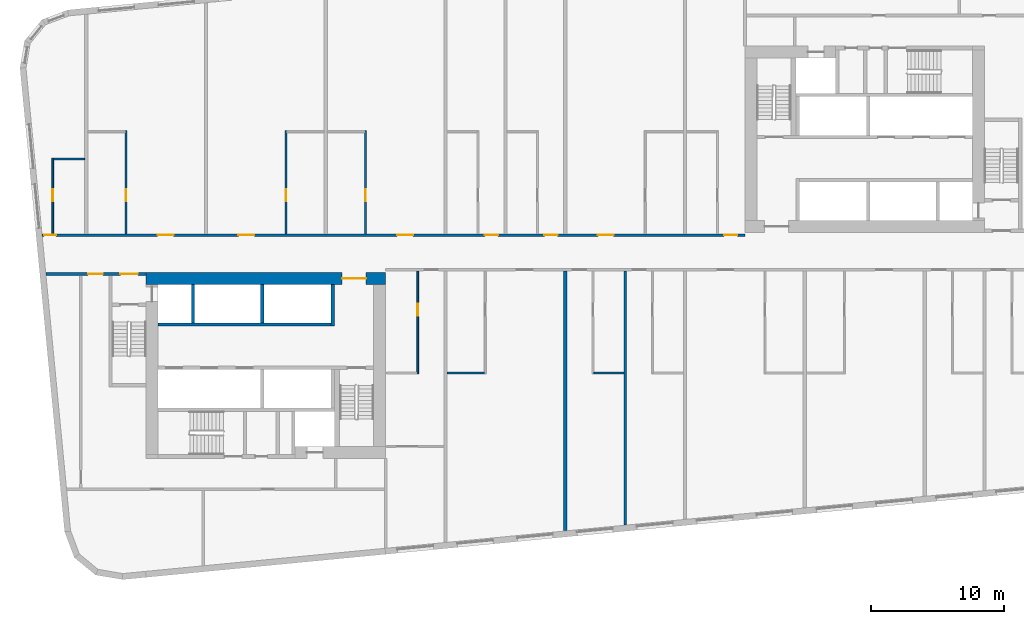
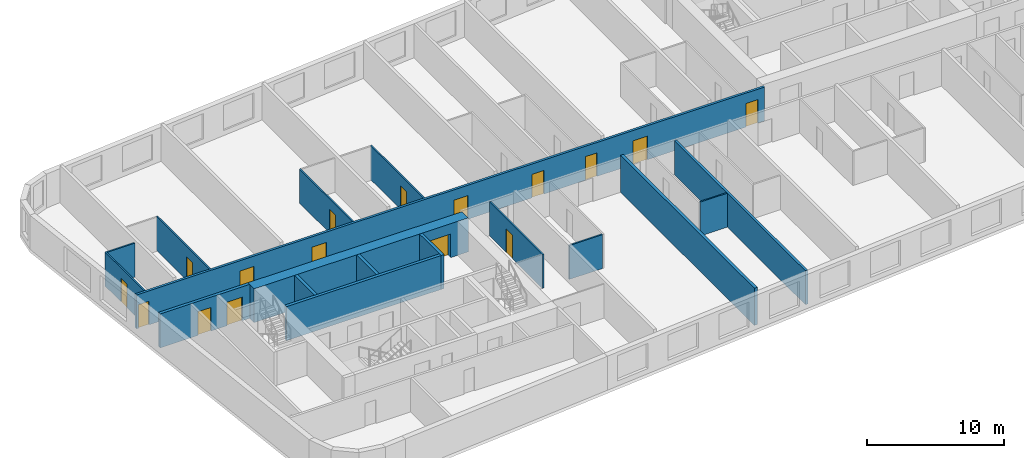
# One storey, part 3 of 12: 17 walls, 16 doors, 16 openings.
"""IFC4 building model written with IfcOpenShell, lengths in metres."""

import ifcopenshell
import ifcopenshell.guid

model = None  # the IFC model being written
_history = None  # IfcOwnerHistory: only IFC2X3 demands one
_inside = {}  # id of a spatial element -> (the spatial element, [elements in it])
_under = {}  # id of a project, library or spatial element -> (it, [spatial elements below it])
_declared = {}  # id of a project -> (the project, [libraries it declares])
_typed = {}  # id of a type object -> (the type object, [elements of that type])
_made_of = {}  # id of a material, layer set ... -> (it, [elements and type objects made of it])


def new_model(schema):
    """Start an empty IFC model of exactly this schema.

    Asked for "IFC4X3", IfcOpenShell would pick the latest addendum, in which some entities
    have other attributes; the version numbers below select the first issue.
    IFC2X3 requires an IfcOwnerHistory on every rooted entity: one is made here for all.
    """
    global model, _history
    if schema == "IFC4X3":
        model = ifcopenshell.file(schema_version=(4, 3, 0, 0))
    else:
        model = ifcopenshell.file(schema=schema)
    _inside.clear()
    _under.clear()
    _declared.clear()
    _typed.clear()
    _made_of.clear()
    _history = None
    if model.schema == "IFC2X3":
        org = make("IfcOrganization", Name="unknown")
        user = make(
            "IfcPersonAndOrganization",
            ThePerson=make("IfcPerson", FamilyName="unknown"),
            TheOrganization=org,
        )
        app = make(
            "IfcApplication",
            ApplicationDeveloper=org,
            Version="unknown",
            ApplicationFullName="unknown",
            ApplicationIdentifier="unknown",
        )
        _history = make(
            "IfcOwnerHistory",
            OwningUser=user,
            OwningApplication=app,
            ChangeAction="ADDED",
            CreationDate=0,
        )
    return model


def make(cls, **values):
    """One entity of the class cls with the attributes given. An attribute that is None is left unset."""
    return model.create_entity(
        cls, **{name: value for name, value in values.items() if value is not None}
    )


def rooted(cls, **values):
    """An entity with a GlobalId (a new one), such as an element, a storey or a relation."""
    return make(cls, GlobalId=ifcopenshell.guid.new(), OwnerHistory=_history, **values)


def si_unit(unit_type, name, prefix=None):
    """IfcSIUnit, for example si_unit("LENGTHUNIT", "METRE", prefix="MILLI")."""
    return make("IfcSIUnit", UnitType=unit_type, Prefix=prefix, Name=name)


def assignment(units):
    """IfcUnitAssignment: the units of a project."""
    return None if units is None else make("IfcUnitAssignment", Units=units)


def point(xyz):
    """IfcCartesianPoint."""
    return None if xyz is None else make("IfcCartesianPoint", Coordinates=xyz)


def direction(xyz):
    """IfcDirection."""
    return None if xyz is None else make("IfcDirection", DirectionRatios=xyz)


def frame(location, z_axis=None, x_axis=None):
    """IfcAxis2Placement3D, a coordinate frame: its origin and axes. An axis left out is left unset."""
    return make(
        "IfcAxis2Placement3D",
        Location=point(location),
        Axis=direction(z_axis),
        RefDirection=direction(x_axis),
    )


def frame_2d(location, x_axis=None):
    """IfcAxis2Placement2D, a coordinate frame in the plane: its origin and x axis."""
    return make(
        "IfcAxis2Placement2D", Location=point(location), RefDirection=direction(x_axis)
    )


def origin():
    """The frame at (0, 0, 0) with its axes left unset."""
    return frame((0.0, 0.0, 0.0))


def place(relative_to, where):
    """IfcLocalPlacement: puts the frame where relative to a parent placement (None: the world)."""
    return make(
        "IfcLocalPlacement", PlacementRelTo=relative_to, RelativePlacement=where
    )


def context(
    kind, dimensions, precision=None, world=None, true_north=None, identifier=None
):
    """IfcGeometricRepresentationContext, for example the 3D "Model" context."""
    return make(
        "IfcGeometricRepresentationContext",
        ContextIdentifier=identifier,
        ContextType=kind,
        CoordinateSpaceDimension=dimensions,
        Precision=precision,
        WorldCoordinateSystem=world,
        TrueNorth=true_north,
    )


def subcontext(parent, identifier, kind, view, scale=None):
    """IfcGeometricRepresentationSubContext, for example "Body" below "Model"."""
    return make(
        "IfcGeometricRepresentationSubContext",
        ContextIdentifier=identifier,
        ContextType=kind,
        ParentContext=parent,
        TargetScale=scale,
        TargetView=view,
    )


def project(units=None, contexts=None):
    """IfcProject with its units and contexts."""
    return rooted(
        "IfcProject",
        Name="project",
        RepresentationContexts=contexts,
        UnitsInContext=assignment(units),
    )


def spatial(cls, under=None, at=None, **own):
    """A site, building, storey or space (cls), placed at a placement, below another one or the project."""
    s = rooted(cls, ObjectPlacement=at, **own)
    if under is not None:
        _under.setdefault(under.id(), (under, []))[1].append(s)
    return s


def profile(cls, at=None, kind="AREA", **sizes):
    """A parametric profile (cls). Its sizes go by their IFC names, for example OverallWidth=200.0."""
    return make(cls, ProfileType=kind, Position=at, **sizes)


def rectangle(**sizes):
    """IfcRectangleProfileDef."""
    return profile("IfcRectangleProfileDef", **sizes)


def extrude(swept, where, along, depth):
    """IfcExtrudedAreaSolid: the profile swept, set in the frame where, extruded along a direction by depth."""
    return make(
        "IfcExtrudedAreaSolid",
        SweptArea=swept,
        Position=where,
        ExtrudedDirection=direction(along),
        Depth=depth,
    )


def shape(context_of_items, identifier, shape_type, items):
    """IfcShapeRepresentation: the items that make up one representation, for example the "Body"."""
    return make(
        "IfcShapeRepresentation",
        ContextOfItems=context_of_items,
        RepresentationIdentifier=identifier,
        RepresentationType=shape_type,
        Items=items,
    )


def material(Name=None, Category=None):
    """IfcMaterial."""
    return make("IfcMaterial", Name=Name, Category=Category)


def layer(
    of_material, thickness, ventilated=None, Name=None, Category=None, Priority=None
):
    """IfcMaterialLayer: one layer of a wall or slab, of a material (None: an air gap)."""
    return make(
        "IfcMaterialLayer",
        Material=of_material,
        LayerThickness=thickness,
        IsVentilated=ventilated,
        Name=Name,
        Category=Category,
        Priority=Priority,
    )


def layer_set(layers, Name=None):
    """IfcMaterialLayerSet."""
    return make("IfcMaterialLayerSet", MaterialLayers=layers, LayerSetName=Name)


def made_of(thing, what):
    """Note that an element or type object is made of a material, layer set ...; save() writes the relation."""
    if what is not None:
        _made_of.setdefault(what.id(), (what, []))[1].append(thing)
    return thing


def type_object(cls, material=None, **own):
    """A type object (cls), such as IfcWallType, which elements share."""
    return made_of(rooted(cls, **own), material)


def element(
    cls,
    number,
    at=None,
    inside=None,
    cuts=None,
    type_object=None,
    material=None,
    context=None,
    identifier="Body",
    shape_type=None,
    held_by="IfcProductDefinitionShape",
    body=None,
    shapes=None,
    **own,
):
    """One element of the class cls, such as IfcWall. Its Tag is "e" and its number.

    at: its placement. inside: the storey or other place that contains it. cuts: it is an
    opening in that element (IfcRelVoidsElement). A single representation is given by context,
    identifier, shape_type and body (its items); several are given by shapes. held_by: the class
    of the entity that holds the representations. save() writes the other relations.
    """
    e = rooted(cls, Tag="e%d" % number, ObjectPlacement=at, **own)
    if body is not None:
        shapes = [shape(context, identifier, shape_type, body)]
    if shapes is not None:
        e.Representation = make(held_by, Representations=shapes)
    if inside is not None:
        _inside.setdefault(inside.id(), (inside, []))[1].append(e)
    if cuts is not None:
        rooted(
            "IfcRelVoidsElement", RelatingBuildingElement=cuts, RelatedOpeningElement=e
        )
    if type_object is not None:
        _typed.setdefault(type_object.id(), (type_object, []))[1].append(e)
    return made_of(e, material)


def fill(opening, filler):
    """IfcRelFillsElement: the door or window that sits in an opening."""
    return rooted(
        "IfcRelFillsElement",
        RelatingOpeningElement=opening,
        RelatedBuildingElement=filler,
    )


def aggregate(whole, parts):
    """IfcRelAggregates: a whole, such as a stair, and the parts it consists of."""
    return rooted("IfcRelAggregates", RelatingObject=whole, RelatedObjects=parts)


def save(model, path):
    """Write the relations noted so far, then the file.

    IfcRelAggregates (storeys below a building ...), IfcRelContainedInSpatialStructure (elements
    in a storey), IfcRelDefinesByType, IfcRelAssociatesMaterial and IfcRelDeclares: one each for
    every whole, place, type object, material and project.
    """
    for whole, parts in _under.values():
        aggregate(whole, parts)
    for where, things in _inside.values():
        rooted(
            "IfcRelContainedInSpatialStructure",
            RelatedElements=things,
            RelatingStructure=where,
        )
    for kind, things in _typed.values():
        rooted("IfcRelDefinesByType", RelatedObjects=things, RelatingType=kind)
    for what, things in _made_of.values():
        rooted("IfcRelAssociatesMaterial", RelatedObjects=things, RelatingMaterial=what)
    for by, libraries in _declared.values():
        rooted("IfcRelDeclares", RelatingContext=by, RelatedDefinitions=libraries)
    model.write(path)


model = new_model("IFC4")

# Units and contexts
model_context = context("Model", 3, precision=1e-05, world=origin(), true_north=direction((0.0, 1.0)))
body_context = subcontext(model_context, "Body", "Model", "MODEL_VIEW")
ifc_project = project(units=[si_unit("LENGTHUNIT", "METRE"), si_unit("AREAUNIT", "SQUARE_METRE"), si_unit("VOLUMEUNIT", "CUBIC_METRE"), si_unit("PLANEANGLEUNIT", "RADIAN"), si_unit("MASSUNIT", "GRAM", prefix="KILO")], contexts=[model_context])

# Site, building, storey
site_placement = place(None, origin())
site = spatial("IfcSite", under=ifc_project, at=site_placement, CompositionType="ELEMENT")
building_placement = place(site_placement, origin())
building = spatial("IfcBuilding", under=site, at=building_placement, Name="Kajstack Hotel Tower", CompositionType="ELEMENT")
storey_placement = place(building_placement, frame((0.0, 0.0, 133.89990234375)))
storey = spatial("IfcBuildingStorey", under=building, at=storey_placement, Name="L30", CompositionType="ELEMENT", Elevation=133.89990234375)

# Wall, opening, door
ifc_material_1 = material(Name="Concrete C60/75", Category="concrete")
ifc_layer_1 = layer(ifc_material_1, 0.89990234375)
ifc_layer_set_1 = layer_set([ifc_layer_1], Name="Core wall 900")
wall_type_1 = type_object("IfcWallType", Name="Core wall 900", PredefinedType="SHEAR", material=ifc_layer_set_1)
wall_1_placement = place(storey_placement, frame((-31.5, -1.949951171875, 0.0), z_axis=(0.0, 0.0, 1.0), x_axis=(1.0, 0.0, 0.0)))
wall_1 = element("IfcWall", 1, at=wall_1_placement, inside=storey, type_object=wall_type_1, Name="Core wall W RN", PredefinedType="SHEAR", context=body_context, shape_type="SweptSolid", body=[
    extrude(rectangle(XDim=18.0, YDim=0.89990234375, at=frame_2d((9.0, 0.0))), origin(), (0.0, 0.0, 1.0), 3.02001953125),
])
opening_1_placement = place(wall_1_placement, frame((14.72509765625, 0.0, 0.0)))
opening_1 = element("IfcOpeningElement", 2, at=opening_1_placement, cuts=wall_1, Name="Opening 30W06", PredefinedType="OPENING", context=body_context, shape_type="SweptSolid", body=[
    extrude(rectangle(XDim=1.800048828125, YDim=2.10009765625, at=frame_2d((0.89990234375, 1.050048828125))), frame((0.0, 0.4599609375, 0.0), z_axis=(0.0, -1.0, 0.0), x_axis=(1.0, 0.0, 0.0)), (0.0, 0.0, 1.0), 0.919921875),
])
ifc_material_2 = material(Name="Glazed steel frame, fire-rated glass", Category="steel")
door_type_1 = type_object("IfcDoorType", Name="Lobby double door 1800", OperationType="DOUBLE_DOOR_DOUBLE_SWING", PredefinedType="DOOR", material=ifc_material_2)
door_1_placement = place(opening_1_placement, origin())
door_1 = element("IfcDoor", 3, at=door_1_placement, inside=storey, type_object=door_type_1, Name="Door 30W06", OperationType="DOUBLE_DOOR_DOUBLE_SWING", OverallHeight=2.10009765625, OverallWidth=1.800048828125, PredefinedType="DOOR", context=body_context, shape_type="SweptSolid", body=[
    extrude(rectangle(XDim=1.800048828125, YDim=2.10009765625, at=frame_2d((0.89990234375, 1.050048828125))), frame((0.0, 0.02490234375, 0.0), z_axis=(0.0, -1.0, 0.0), x_axis=(1.0, 0.0, 0.0)), (0.0, 0.0, 1.0), 0.050048828125),
])
fill(opening_1, door_1)

# Wall, openings, doors
ifc_material_3 = material(Name="Gypsum board on steel studs, mineral wool", Category="steel")
ifc_layer_2 = layer(ifc_material_3, 0.199951171875)
ifc_layer_set_2 = layer_set([ifc_layer_2], Name="Corridor wall 200")
wall_type_2 = type_object("IfcWallType", Name="Corridor wall 200", PredefinedType="PARTITIONING", material=ifc_layer_set_2)
wall_2_placement = place(storey_placement, frame((-39.31591796875, 1.300048828125, 0.0), z_axis=(0.0, 0.0, 1.0), x_axis=(1.0, 0.0, 0.0)))
wall_2 = element("IfcWall", 4, at=wall_2_placement, inside=storey, type_object=wall_type_2, Name="G-wall-L30-003", PredefinedType="PARTITIONING", context=body_context, shape_type="SweptSolid", body=[
    extrude(rectangle(XDim=52.81591796875, YDim=0.199951171875, at=frame_2d((26.407958984375, 0.0))), origin(), (0.0, 0.0, 1.0), 3.02001953125),
])
opening_2_placement = place(wall_2_placement, frame((0.14990234375, 0.0, 0.0)))
opening_2 = element("IfcOpeningElement", 5, at=opening_2_placement, cuts=wall_2, Name="Opening 30001", PredefinedType="OPENING", context=body_context, shape_type="SweptSolid", body=[
    extrude(rectangle(XDim=0.89990234375, YDim=2.10009765625, at=frame_2d((0.449951171875, 1.050048828125))), frame((0.0, 0.10986328125, 0.0), z_axis=(0.0, -1.0, 0.0), x_axis=(1.0, 0.0, 0.0)), (0.0, 0.0, 1.0), 0.219970703125),
])
opening_3_placement = place(wall_2_placement, frame((8.678955078125, 0.0, 0.0)))
opening_3 = element("IfcOpeningElement", 6, at=opening_3_placement, cuts=wall_2, Name="Opening 30003", PredefinedType="OPENING", context=body_context, shape_type="SweptSolid", body=[
    extrude(rectangle(XDim=1.199951171875, YDim=2.10009765625, at=frame_2d((0.60009765625, 1.050048828125))), frame((0.0, 0.10986328125, 0.0), z_axis=(0.0, -1.0, 0.0), x_axis=(1.0, 0.0, 0.0)), (0.0, 0.0, 1.0), 0.219970703125),
])
opening_4_placement = place(wall_2_placement, frame((14.75390625, 0.0, 0.0)))
opening_4 = element("IfcOpeningElement", 7, at=opening_4_placement, cuts=wall_2, Name="Opening 30005", PredefinedType="OPENING", context=body_context, shape_type="SweptSolid", body=[
    extrude(rectangle(XDim=1.199951171875, YDim=2.10009765625, at=frame_2d((0.60009765625, 1.050048828125))), frame((0.0, 0.10986328125, 0.0), z_axis=(0.0, -1.0, 0.0), x_axis=(1.0, 0.0, 0.0)), (0.0, 0.0, 1.0), 0.219970703125),
])
opening_5_placement = place(wall_2_placement, frame((26.677978515625, 0.0, 0.0)))
opening_5 = element("IfcOpeningElement", 8, at=opening_5_placement, cuts=wall_2, Name="Opening 30007", PredefinedType="OPENING", context=body_context, shape_type="SweptSolid", body=[
    extrude(rectangle(XDim=1.199951171875, YDim=2.10009765625, at=frame_2d((0.60009765625, 1.050048828125))), frame((0.0, 0.10986328125, 0.0), z_axis=(0.0, -1.0, 0.0), x_axis=(1.0, 0.0, 0.0)), (0.0, 0.0, 1.0), 0.219970703125),
])
opening_6_placement = place(wall_2_placement, frame((33.26611328125, 0.0, 0.0)))
opening_6 = element("IfcOpeningElement", 9, at=opening_6_placement, cuts=wall_2, Name="Opening 30009", PredefinedType="OPENING", context=body_context, shape_type="SweptSolid", body=[
    extrude(rectangle(XDim=1.0, YDim=2.10009765625, at=frame_2d((0.5, 1.050048828125))), frame((0.0, 0.10986328125, 0.0), z_axis=(0.0, -1.0, 0.0), x_axis=(1.0, 0.0, 0.0)), (0.0, 0.0, 1.0), 0.219970703125),
])
opening_7_placement = place(wall_2_placement, frame((37.740966796875, 0.0, 0.0)))
opening_7 = element("IfcOpeningElement", 10, at=opening_7_placement, cuts=wall_2, Name="Opening 30011", PredefinedType="OPENING", context=body_context, shape_type="SweptSolid", body=[
    extrude(rectangle(XDim=1.0, YDim=2.10009765625, at=frame_2d((0.5, 1.050048828125))), frame((0.0, 0.10986328125, 0.0), z_axis=(0.0, -1.0, 0.0), x_axis=(1.0, 0.0, 0.0)), (0.0, 0.0, 1.0), 0.219970703125),
])
opening_8_placement = place(wall_2_placement, frame((41.75390625, 0.0, 0.0)))
opening_8 = element("IfcOpeningElement", 11, at=opening_8_placement, cuts=wall_2, Name="Opening 30013", PredefinedType="OPENING", context=body_context, shape_type="SweptSolid", body=[
    extrude(rectangle(XDim=1.199951171875, YDim=2.10009765625, at=frame_2d((0.60009765625, 1.050048828125))), frame((0.0, 0.10986328125, 0.0), z_axis=(0.0, -1.0, 0.0), x_axis=(1.0, 0.0, 0.0)), (0.0, 0.0, 1.0), 0.219970703125),
])
opening_9_placement = place(wall_2_placement, frame((51.240966796875, 0.0, 0.0)))
opening_9 = element("IfcOpeningElement", 12, at=opening_9_placement, cuts=wall_2, Name="Opening 30015", PredefinedType="OPENING", context=body_context, shape_type="SweptSolid", body=[
    extrude(rectangle(XDim=1.0, YDim=2.10009765625, at=frame_2d((0.5, 1.050048828125))), frame((0.0, 0.10986328125, 0.0), z_axis=(0.0, -1.0, 0.0), x_axis=(1.0, 0.0, 0.0)), (0.0, 0.0, 1.0), 0.219970703125),
])
ifc_material_4 = material(Name="Oak veneer on timber core, fire-rated leaf", Category="wood")
door_type_2 = type_object("IfcDoorType", Name="Flat entrance door 1000", OperationType="SINGLE_SWING_LEFT", PredefinedType="DOOR", material=ifc_material_4)
door_2_placement = place(opening_6_placement, origin())
door_2 = element("IfcDoor", 13, at=door_2_placement, inside=storey, type_object=door_type_2, Name="G-door-L30-09", OperationType="SINGLE_SWING_RIGHT", OverallHeight=2.10009765625, OverallWidth=1.0, PredefinedType="DOOR", context=body_context, shape_type="SweptSolid", body=[
    extrude(rectangle(XDim=1.0, YDim=2.10009765625, at=frame_2d((0.5, 1.050048828125))), frame((0.0, 0.02490234375, 0.0), z_axis=(0.0, -1.0, 0.0), x_axis=(1.0, 0.0, 0.0)), (0.0, 0.0, 1.0), 0.050048828125),
])
fill(opening_6, door_2)
door_3_placement = place(opening_7_placement, origin())
door_3 = element("IfcDoor", 14, at=door_3_placement, inside=storey, type_object=door_type_2, Name="G-door-L30-11", OperationType="SINGLE_SWING_RIGHT", OverallHeight=2.10009765625, OverallWidth=1.0, PredefinedType="DOOR", context=body_context, shape_type="SweptSolid", body=[
    extrude(rectangle(XDim=1.0, YDim=2.10009765625, at=frame_2d((0.5, 1.050048828125))), frame((0.0, 0.02490234375, 0.0), z_axis=(0.0, -1.0, 0.0), x_axis=(1.0, 0.0, 0.0)), (0.0, 0.0, 1.0), 0.050048828125),
])
fill(opening_7, door_3)
door_4_placement = place(opening_9_placement, origin())
door_4 = element("IfcDoor", 15, at=door_4_placement, inside=storey, type_object=door_type_2, Name="G-door-L30-15", OperationType="SINGLE_SWING_LEFT", OverallHeight=2.10009765625, OverallWidth=1.0, PredefinedType="DOOR", context=body_context, shape_type="SweptSolid", body=[
    extrude(rectangle(XDim=1.0, YDim=2.10009765625, at=frame_2d((0.5, 1.050048828125))), frame((0.0, 0.02490234375, 0.0), z_axis=(0.0, -1.0, 0.0), x_axis=(1.0, 0.0, 0.0)), (0.0, 0.0, 1.0), 0.050048828125),
])
fill(opening_9, door_4)
door_type_3 = type_object("IfcDoorType", Name="Flat entrance door 1200", OperationType="SINGLE_SWING_LEFT", PredefinedType="DOOR", material=ifc_material_4)
door_5_placement = place(opening_3_placement, origin())
door_5 = element("IfcDoor", 16, at=door_5_placement, inside=storey, type_object=door_type_3, Name="G-door-L30-03", OperationType="SINGLE_SWING_LEFT", OverallHeight=2.10009765625, OverallWidth=1.199951171875, PredefinedType="DOOR", context=body_context, shape_type="SweptSolid", body=[
    extrude(rectangle(XDim=1.199951171875, YDim=2.10009765625, at=frame_2d((0.60009765625, 1.050048828125))), frame((0.0, 0.02490234375, 0.0), z_axis=(0.0, -1.0, 0.0), x_axis=(1.0, 0.0, 0.0)), (0.0, 0.0, 1.0), 0.050048828125),
])
fill(opening_3, door_5)
door_6_placement = place(opening_4_placement, origin())
door_6 = element("IfcDoor", 17, at=door_6_placement, inside=storey, type_object=door_type_3, Name="G-door-L30-05", OperationType="SINGLE_SWING_LEFT", OverallHeight=2.10009765625, OverallWidth=1.199951171875, PredefinedType="DOOR", context=body_context, shape_type="SweptSolid", body=[
    extrude(rectangle(XDim=1.199951171875, YDim=2.10009765625, at=frame_2d((0.60009765625, 1.050048828125))), frame((0.0, 0.02490234375, 0.0), z_axis=(0.0, -1.0, 0.0), x_axis=(1.0, 0.0, 0.0)), (0.0, 0.0, 1.0), 0.050048828125),
])
fill(opening_4, door_6)
door_7_placement = place(opening_5_placement, origin())
door_7 = element("IfcDoor", 18, at=door_7_placement, inside=storey, type_object=door_type_3, Name="G-door-L30-07", OperationType="SINGLE_SWING_LEFT", OverallHeight=2.10009765625, OverallWidth=1.199951171875, PredefinedType="DOOR", context=body_context, shape_type="SweptSolid", body=[
    extrude(rectangle(XDim=1.199951171875, YDim=2.10009765625, at=frame_2d((0.60009765625, 1.050048828125))), frame((0.0, 0.02490234375, 0.0), z_axis=(0.0, -1.0, 0.0), x_axis=(1.0, 0.0, 0.0)), (0.0, 0.0, 1.0), 0.050048828125),
])
fill(opening_5, door_7)
door_8_placement = place(opening_8_placement, origin())
door_8 = element("IfcDoor", 19, at=door_8_placement, inside=storey, type_object=door_type_3, Name="G-door-L30-13", OperationType="SINGLE_SWING_LEFT", OverallHeight=2.10009765625, OverallWidth=1.199951171875, PredefinedType="DOOR", context=body_context, shape_type="SweptSolid", body=[
    extrude(rectangle(XDim=1.199951171875, YDim=2.10009765625, at=frame_2d((0.60009765625, 1.050048828125))), frame((0.0, 0.02490234375, 0.0), z_axis=(0.0, -1.0, 0.0), x_axis=(1.0, 0.0, 0.0)), (0.0, 0.0, 1.0), 0.050048828125),
])
fill(opening_8, door_8)
ifc_material_5 = material(Name="Painted timber door leaf", Category="wood")
door_type_4 = type_object("IfcDoorType", Name="Room door 900", OperationType="SINGLE_SWING_LEFT", PredefinedType="DOOR", material=ifc_material_5)
door_9_placement = place(opening_2_placement, origin())
door_9 = element("IfcDoor", 20, at=door_9_placement, inside=storey, type_object=door_type_4, Name="G-door-L30-01", OperationType="SINGLE_SWING_LEFT", OverallHeight=2.10009765625, OverallWidth=0.89990234375, PredefinedType="DOOR", context=body_context, shape_type="SweptSolid", body=[
    extrude(rectangle(XDim=0.89990234375, YDim=2.10009765625, at=frame_2d((0.449951171875, 1.050048828125))), frame((0.0, 0.02490234375, 0.0), z_axis=(0.0, -1.0, 0.0), x_axis=(1.0, 0.0, 0.0)), (0.0, 0.0, 1.0), 0.050048828125),
])
fill(opening_2, door_9)

# Wall
ifc_material_6 = material(Name="Twin-frame gypsum board on steel studs, mineral wool", Category="steel")
ifc_layer_3 = layer(ifc_material_6, 0.199951171875)
ifc_layer_set_3 = layer_set([ifc_layer_3], Name="Demising wall 200")
wall_type_3 = type_object("IfcWallType", Name="Demising wall 200", PredefinedType="PARTITIONING", material=ifc_layer_set_3)
wall_3_placement = place(storey_placement, frame((4.5, -20.4990234375, 0.0), z_axis=(0.0, 0.0, 1.0), x_axis=(0.0, 1.0, 0.0)))
element("IfcWall", 21, at=wall_3_placement, inside=storey, type_object=wall_type_3, Name="G-wall-L30-027", PredefinedType="PARTITIONING", context=body_context, shape_type="SweptSolid", body=[
    extrude(rectangle(XDim=19.09912109375, YDim=0.199951171875, at=frame_2d((9.549560546875, 0.0))), origin(), (0.0, 0.0, 1.0), 3.02001953125),
])

# Wall, opening, door
ifc_material_7 = material(Name="Gypsum board and tiled backer on steel studs", Category="steel")
ifc_layer_4 = layer(ifc_material_7, 0.125)
ifc_layer_set_4 = layer_set([ifc_layer_4], Name="En-suite wall 125")
wall_type_4 = type_object("IfcWallType", Name="En-suite wall 125", PredefinedType="PARTITIONING", material=ifc_layer_set_4)
wall_4_placement = place(storey_placement, frame((-38.51904296875, 1.39990234375, 0.0), z_axis=(0.0, 0.0, 1.0), x_axis=(0.0, 1.0, 0.0)))
wall_4 = element("IfcWall", 22, at=wall_4_placement, inside=storey, type_object=wall_type_4, Name="G-wall-L30-004", PredefinedType="PARTITIONING", context=body_context, shape_type="SweptSolid", body=[
    extrude(rectangle(XDim=5.68408203125, YDim=0.125, at=frame_2d((2.842041015625, 0.0))), origin(), (0.0, 0.0, 1.0), 3.02001953125),
])
opening_10_placement = place(wall_4_placement, frame((2.449951171875, 0.0, 0.0)))
opening_10 = element("IfcOpeningElement", 23, at=opening_10_placement, cuts=wall_4, Name="Opening 30002", PredefinedType="OPENING", context=body_context, shape_type="SweptSolid", body=[
    extrude(rectangle(XDim=0.89990234375, YDim=2.10009765625, at=frame_2d((0.449951171875, 1.050048828125))), frame((0.0, 0.072509765625, 0.0), z_axis=(0.0, -1.0, 0.0), x_axis=(1.0, 0.0, 0.0)), (0.0, 0.0, 1.0), 0.14501953125),
])
door_10_placement = place(opening_10_placement, origin())
door_10 = element("IfcDoor", 24, at=door_10_placement, inside=storey, type_object=door_type_4, Name="G-door-L30-02", OperationType="SINGLE_SWING_LEFT", OverallHeight=2.10009765625, OverallWidth=0.89990234375, PredefinedType="DOOR", context=body_context, shape_type="SweptSolid", body=[
    extrude(rectangle(XDim=0.89990234375, YDim=2.10009765625, at=frame_2d((0.449951171875, 1.050048828125))), frame((0.0, 0.02490234375, 0.0), z_axis=(0.0, -1.0, 0.0), x_axis=(1.0, 0.0, 0.0)), (0.0, 0.0, 1.0), 0.050048828125),
])
fill(opening_10, door_10)

# Wall
wall_5_placement = place(storey_placement, frame((-38.45703125, 7.02197265625, 0.0), z_axis=(0.0, 0.0, 1.0), x_axis=(1.0, 0.0, 0.0)))
element("IfcWall", 25, at=wall_5_placement, inside=storey, type_object=wall_type_4, Name="G-wall-L30-005", PredefinedType="PARTITIONING", context=body_context, shape_type="SweptSolid", body=[
    extrude(rectangle(XDim=2.33203125, YDim=0.125, at=frame_2d((1.166015625, 0.0))), origin(), (0.0, 0.0, 1.0), 3.02001953125),
])

# Wall, opening, door
wall_6_placement = place(storey_placement, frame((-33.012939453125, 1.39990234375, 0.0), z_axis=(0.0, 0.0, 1.0), x_axis=(0.0, 1.0, 0.0)))
wall_6 = element("IfcWall", 26, at=wall_6_placement, inside=storey, type_object=wall_type_4, Name="G-wall-L30-006", PredefinedType="PARTITIONING", context=body_context, shape_type="SweptSolid", body=[
    extrude(rectangle(XDim=7.72509765625, YDim=0.125, at=frame_2d((3.862548828125, 0.0))), origin(), (0.0, 0.0, 1.0), 3.02001953125),
])
opening_11_placement = place(wall_6_placement, frame((2.449951171875, 0.0, 0.0)))
opening_11 = element("IfcOpeningElement", 27, at=opening_11_placement, cuts=wall_6, Name="Opening 30004", PredefinedType="OPENING", context=body_context, shape_type="SweptSolid", body=[
    extrude(rectangle(XDim=0.89990234375, YDim=2.10009765625, at=frame_2d((0.449951171875, 1.050048828125))), frame((0.0, 0.072509765625, 0.0), z_axis=(0.0, -1.0, 0.0), x_axis=(1.0, 0.0, 0.0)), (0.0, 0.0, 1.0), 0.14501953125),
])
door_11_placement = place(opening_11_placement, origin())
door_11 = element("IfcDoor", 28, at=door_11_placement, inside=storey, type_object=door_type_4, Name="G-door-L30-04", OperationType="SINGLE_SWING_RIGHT", OverallHeight=2.10009765625, OverallWidth=0.89990234375, PredefinedType="DOOR", context=body_context, shape_type="SweptSolid", body=[
    extrude(rectangle(XDim=0.89990234375, YDim=2.10009765625, at=frame_2d((0.449951171875, 1.050048828125))), frame((0.0, 0.02490234375, 0.0), z_axis=(0.0, -1.0, 0.0), x_axis=(1.0, 0.0, 0.0)), (0.0, 0.0, 1.0), 0.050048828125),
])
fill(opening_11, door_11)

wall_7_placement = place(storey_placement, frame((-20.988037109375, 1.39990234375, 0.0), z_axis=(0.0, 0.0, 1.0), x_axis=(0.0, 1.0, 0.0)))
wall_7 = element("IfcWall", 29, at=wall_7_placement, inside=storey, type_object=wall_type_4, Name="G-wall-L30-008", PredefinedType="PARTITIONING", context=body_context, shape_type="SweptSolid", body=[
    extrude(rectangle(XDim=7.72509765625, YDim=0.125, at=frame_2d((3.862548828125, 0.0))), origin(), (0.0, 0.0, 1.0), 3.02001953125),
])
opening_12_placement = place(wall_7_placement, frame((2.449951171875, 0.0, 0.0)))
opening_12 = element("IfcOpeningElement", 30, at=opening_12_placement, cuts=wall_7, Name="Opening 30006", PredefinedType="OPENING", context=body_context, shape_type="SweptSolid", body=[
    extrude(rectangle(XDim=0.89990234375, YDim=2.10009765625, at=frame_2d((0.449951171875, 1.050048828125))), frame((0.0, 0.072509765625, 0.0), z_axis=(0.0, -1.0, 0.0), x_axis=(1.0, 0.0, 0.0)), (0.0, 0.0, 1.0), 0.14501953125),
])
door_12_placement = place(opening_12_placement, origin())
door_12 = element("IfcDoor", 31, at=door_12_placement, inside=storey, type_object=door_type_4, Name="G-door-L30-06", OperationType="SINGLE_SWING_LEFT", OverallHeight=2.10009765625, OverallWidth=0.89990234375, PredefinedType="DOOR", context=body_context, shape_type="SweptSolid", body=[
    extrude(rectangle(XDim=0.89990234375, YDim=2.10009765625, at=frame_2d((0.449951171875, 1.050048828125))), frame((0.0, 0.02490234375, 0.0), z_axis=(0.0, -1.0, 0.0), x_axis=(1.0, 0.0, 0.0)), (0.0, 0.0, 1.0), 0.050048828125),
])
fill(opening_12, door_12)

wall_8_placement = place(storey_placement, frame((-15.011962890625, 1.39990234375, 0.0), z_axis=(0.0, 0.0, 1.0), x_axis=(0.0, 1.0, 0.0)))
wall_8 = element("IfcWall", 32, at=wall_8_placement, inside=storey, type_object=wall_type_4, Name="G-wall-L30-010", PredefinedType="PARTITIONING", context=body_context, shape_type="SweptSolid", body=[
    extrude(rectangle(XDim=7.72509765625, YDim=0.125, at=frame_2d((3.862548828125, 0.0))), origin(), (0.0, 0.0, 1.0), 3.02001953125),
])
opening_13_placement = place(wall_8_placement, frame((2.449951171875, 0.0, 0.0)))
opening_13 = element("IfcOpeningElement", 33, at=opening_13_placement, cuts=wall_8, Name="Opening 30008", PredefinedType="OPENING", context=body_context, shape_type="SweptSolid", body=[
    extrude(rectangle(XDim=0.89990234375, YDim=2.10009765625, at=frame_2d((0.449951171875, 1.050048828125))), frame((0.0, 0.072509765625, 0.0), z_axis=(0.0, -1.0, 0.0), x_axis=(1.0, 0.0, 0.0)), (0.0, 0.0, 1.0), 0.14501953125),
])
door_13_placement = place(opening_13_placement, origin())
door_13 = element("IfcDoor", 34, at=door_13_placement, inside=storey, type_object=door_type_4, Name="G-door-L30-08", OperationType="SINGLE_SWING_RIGHT", OverallHeight=2.10009765625, OverallWidth=0.89990234375, PredefinedType="DOOR", context=body_context, shape_type="SweptSolid", body=[
    extrude(rectangle(XDim=0.89990234375, YDim=2.10009765625, at=frame_2d((0.449951171875, 1.050048828125))), frame((0.0, 0.02490234375, 0.0), z_axis=(0.0, -1.0, 0.0), x_axis=(1.0, 0.0, 0.0)), (0.0, 0.0, 1.0), 0.050048828125),
])
fill(opening_13, door_13)

wall_9_placement = place(storey_placement, frame((-11.087890625, -9.125, 0.0), z_axis=(0.0, 0.0, 1.0), x_axis=(0.0, 1.0, 0.0)))
wall_9 = element("IfcWall", 35, at=wall_9_placement, inside=storey, type_object=wall_type_4, Name="G-wall-L30-022", PredefinedType="PARTITIONING", context=body_context, shape_type="SweptSolid", body=[
    extrude(rectangle(XDim=7.72509765625, YDim=0.125, at=frame_2d((3.862548828125, 0.0))), origin(), (0.0, 0.0, 1.0), 3.02001953125),
])
opening_14_placement = place(wall_9_placement, frame((4.375, 0.0, 0.0)))
opening_14 = element("IfcOpeningElement", 36, at=opening_14_placement, cuts=wall_9, Name="Opening 30018", PredefinedType="OPENING", context=body_context, shape_type="SweptSolid", body=[
    extrude(rectangle(XDim=0.89990234375, YDim=2.10009765625, at=frame_2d((0.449951171875, 1.050048828125))), frame((0.0, 0.072509765625, 0.0), z_axis=(0.0, -1.0, 0.0), x_axis=(1.0, 0.0, 0.0)), (0.0, 0.0, 1.0), 0.14501953125),
])
door_14_placement = place(opening_14_placement, origin())
door_14 = element("IfcDoor", 37, at=door_14_placement, inside=storey, type_object=door_type_4, Name="G-door-L30-18", OperationType="SINGLE_SWING_RIGHT", OverallHeight=2.10009765625, OverallWidth=0.89990234375, PredefinedType="DOOR", context=body_context, shape_type="SweptSolid", body=[
    extrude(rectangle(XDim=0.89990234375, YDim=2.10009765625, at=frame_2d((0.449951171875, 1.050048828125))), frame((0.0, 0.02490234375, 0.0), z_axis=(0.0, -1.0, 0.0), x_axis=(1.0, 0.0, 0.0)), (0.0, 0.0, 1.0), 0.050048828125),
])
fill(opening_14, door_14)

# Walls
wall_10_placement = place(storey_placement, frame((-8.875, -9.06201171875, 0.0), z_axis=(0.0, 0.0, 1.0), x_axis=(1.0, 0.0, 0.0)))
element("IfcWall", 38, at=wall_10_placement, inside=storey, type_object=wall_type_4, Name="G-wall-L30-026", PredefinedType="PARTITIONING", context=body_context, shape_type="SweptSolid", body=[
    extrude(rectangle(XDim=2.800048828125, YDim=0.125, at=frame_2d((1.39990234375, 0.0))), origin(), (0.0, 0.0, 1.0), 3.02001953125),
])
wall_11_placement = place(storey_placement, frame((2.14990234375, -9.06201171875, 0.0), z_axis=(0.0, 0.0, 1.0), x_axis=(1.0, 0.0, 0.0)))
element("IfcWall", 39, at=wall_11_placement, inside=storey, type_object=wall_type_4, Name="G-wall-L30-029", PredefinedType="PARTITIONING", context=body_context, shape_type="SweptSolid", body=[
    extrude(rectangle(XDim=2.25, YDim=0.125, at=frame_2d((1.125, 0.0))), origin(), (0.0, 0.0, 1.0), 3.02001953125),
])
ifc_material_8 = material(Name="Concrete C50/60", Category="concrete")
ifc_layer_5 = layer(ifc_material_8, 0.300048828125)
ifc_layer_set_5 = layer_set([ifc_layer_5], Name="Hoistway divider wall 300")
wall_type_5 = type_object("IfcWallType", Name="Hoistway divider wall 300", PredefinedType="SHEAR", material=ifc_layer_set_5)
wall_12_placement = place(storey_placement, frame((-22.77490234375, -5.300048828125, 0.0), z_axis=(0.0, 0.0, 1.0), x_axis=(0.0, 1.0, 0.0)))
element("IfcWall", 40, at=wall_12_placement, inside=storey, type_object=wall_type_5, Name="Core wall W AP2", PredefinedType="SHEAR", context=body_context, shape_type="SweptSolid", body=[
    extrude(rectangle(XDim=2.900146484375, YDim=0.25, at=frame_2d((1.4501953125, 0.0))), origin(), (0.0, 0.0, 1.0), 3.02001953125),
])
ifc_material_9 = material(Name="Concrete C55/67", Category="concrete")
ifc_layer_6 = layer(ifc_material_9, 0.25)
ifc_layer_set_6 = layer_set([ifc_layer_6], Name="RC cross wall 250 C55/67")
wall_type_6 = type_object("IfcWallType", Name="RC cross wall 250 C55/67", PredefinedType="SHEAR", material=ifc_layer_set_6)
wall_13_placement = place(storey_placement, frame((0.0, -20.910400390625, 0.0), z_axis=(0.0, 0.0, 1.0), x_axis=(0.0, 1.0, 0.0)))
element("IfcWall", 41, at=wall_13_placement, inside=storey, type_object=wall_type_6, Name="S-wall-L30-06", PredefinedType="SHEAR", context=body_context, shape_type="SweptSolid", body=[
    extrude(rectangle(XDim=19.510498046875, YDim=0.25, at=frame_2d((9.75537109375, 0.0))), origin(), (0.0, 0.0, 1.0), 3.300048828125),
])

# Wall, openings, doors
ifc_layer_7 = layer(ifc_material_3, 0.199951171875)
ifc_layer_set_7 = layer_set([ifc_layer_7], Name="Service partition 200")
wall_type_7 = type_object("IfcWallType", Name="Service partition 200", PredefinedType="PARTITIONING", material=ifc_layer_set_7)
wall_14_placement = place(storey_placement, frame((-39.034912109375, -1.625, 0.0), z_axis=(0.0, 0.0, 1.0), x_axis=(1.0, 0.0, 0.0)))
wall_14 = element("IfcWall", 42, at=wall_14_placement, inside=storey, type_object=wall_type_7, Name="Partition W SN", PredefinedType="PARTITIONING", context=body_context, shape_type="SweptSolid", body=[
    extrude(rectangle(XDim=7.534912109375, YDim=0.25, at=frame_2d((3.767578125, 0.0))), origin(), (0.0, 0.0, 1.0), 3.02001953125),
])
opening_15_placement = place(wall_14_placement, frame((5.60986328125, 0.0, 0.0)))
opening_15 = element("IfcOpeningElement", 43, at=opening_15_placement, cuts=wall_14, Name="Opening 30W07", PredefinedType="OPENING", context=body_context, shape_type="SweptSolid", body=[
    extrude(rectangle(XDim=1.300048828125, YDim=2.10009765625, at=frame_2d((0.64990234375, 1.050048828125))), frame((0.0, 0.135009765625, 0.0), z_axis=(0.0, -1.0, 0.0), x_axis=(1.0, 0.0, 0.0)), (0.0, 0.0, 1.0), 0.27001953125),
])
opening_16_placement = place(wall_14_placement, frame((3.184814453125, 0.0, 0.0)))
opening_16 = element("IfcOpeningElement", 44, at=opening_16_placement, cuts=wall_14, Name="Opening 30W09", PredefinedType="OPENING", context=body_context, shape_type="SweptSolid", body=[
    extrude(rectangle(XDim=1.10009765625, YDim=2.10009765625, at=frame_2d((0.550048828125, 1.050048828125))), frame((0.0, 0.135009765625, 0.0), z_axis=(0.0, -1.0, 0.0), x_axis=(1.0, 0.0, 0.0)), (0.0, 0.0, 1.0), 0.27001953125),
])
ifc_material_10 = material(Name="Steel leaf, fire-rated", Category="steel")
door_type_5 = type_object("IfcDoorType", Name="Fire lobby door 1300", OperationType="SINGLE_SWING_LEFT", PredefinedType="DOOR", material=ifc_material_10)
door_15_placement = place(opening_15_placement, origin())
door_15 = element("IfcDoor", 45, at=door_15_placement, inside=storey, type_object=door_type_5, Name="Door 30W07", OperationType="SINGLE_SWING_RIGHT", OverallHeight=2.10009765625, OverallWidth=1.300048828125, PredefinedType="DOOR", context=body_context, shape_type="SweptSolid", body=[
    extrude(rectangle(XDim=1.300048828125, YDim=2.10009765625, at=frame_2d((0.64990234375, 1.050048828125))), frame((0.0, 0.02490234375, 0.0), z_axis=(0.0, -1.0, 0.0), x_axis=(1.0, 0.0, 0.0)), (0.0, 0.0, 1.0), 0.050048828125),
])
fill(opening_15, door_15)
ifc_material_11 = material(Name="Timber leaf, fire-rated", Category="wood")
door_type_6 = type_object("IfcDoorType", Name="Service corridor door 1100", OperationType="SINGLE_SWING_LEFT", PredefinedType="DOOR", material=ifc_material_11)
door_16_placement = place(opening_16_placement, origin())
door_16 = element("IfcDoor", 46, at=door_16_placement, inside=storey, type_object=door_type_6, Name="Door 30W09", OperationType="SINGLE_SWING_RIGHT", OverallHeight=2.10009765625, OverallWidth=1.10009765625, PredefinedType="DOOR", context=body_context, shape_type="SweptSolid", body=[
    extrude(rectangle(XDim=1.10009765625, YDim=2.10009765625, at=frame_2d((0.550048828125, 1.050048828125))), frame((0.0, 0.02490234375, 0.0), z_axis=(0.0, -1.0, 0.0), x_axis=(1.0, 0.0, 0.0)), (0.0, 0.0, 1.0), 0.050048828125),
])
fill(opening_16, door_16)

# Walls
ifc_layer_8 = layer(ifc_material_8, 0.25)
ifc_layer_set_8 = layer_set([ifc_layer_8], Name="Shaft wall 250")
wall_type_8 = type_object("IfcWallType", Name="Shaft wall 250", PredefinedType="SHEAR", material=ifc_layer_set_8)
wall_15_placement = place(storey_placement, frame((-30.60009765625, -5.425048828125, 0.0), z_axis=(0.0, 0.0, 1.0), x_axis=(1.0, 0.0, 0.0)))
element("IfcWall", 47, at=wall_15_placement, inside=storey, type_object=wall_type_8, Name="Core wall W FA", PredefinedType="SHEAR", context=body_context, shape_type="SweptSolid", body=[
    extrude(rectangle(XDim=13.0, YDim=0.25, at=frame_2d((6.5, 0.0))), origin(), (0.0, 0.0, 1.0), 3.02001953125),
])
wall_16_placement = place(storey_placement, frame((-17.47509765625, -5.550048828125, 0.0), z_axis=(0.0, 0.0, 1.0), x_axis=(0.0, 1.0, 0.0)))
element("IfcWall", 48, at=wall_16_placement, inside=storey, type_object=wall_type_8, Name="Core wall W AE", PredefinedType="SHEAR", context=body_context, shape_type="SweptSolid", body=[
    extrude(rectangle(XDim=3.150146484375, YDim=0.25, at=frame_2d((1.5751953125, 0.0))), origin(), (0.0, 0.0, 1.0), 3.02001953125),
])
wall_17_placement = place(storey_placement, frame((-27.97509765625, -5.300048828125, 0.0), z_axis=(0.0, 0.0, 1.0), x_axis=(0.0, 1.0, 0.0)))
element("IfcWall", 49, at=wall_17_placement, inside=storey, type_object=wall_type_8, Name="Core wall W AP0", PredefinedType="SHEAR", context=body_context, shape_type="SweptSolid", body=[
    extrude(rectangle(XDim=2.900146484375, YDim=0.25, at=frame_2d((1.4501953125, 0.0))), origin(), (0.0, 0.0, 1.0), 3.02001953125),
])

save(model, "model.ifc")
